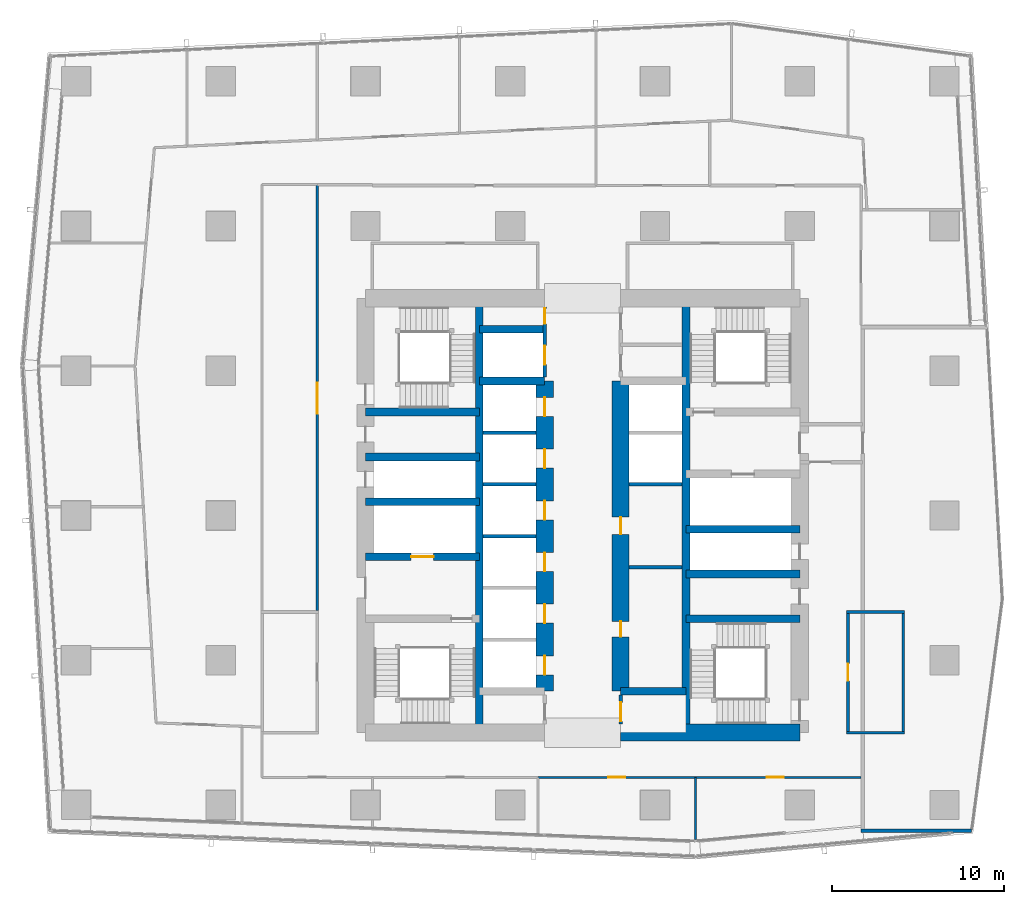
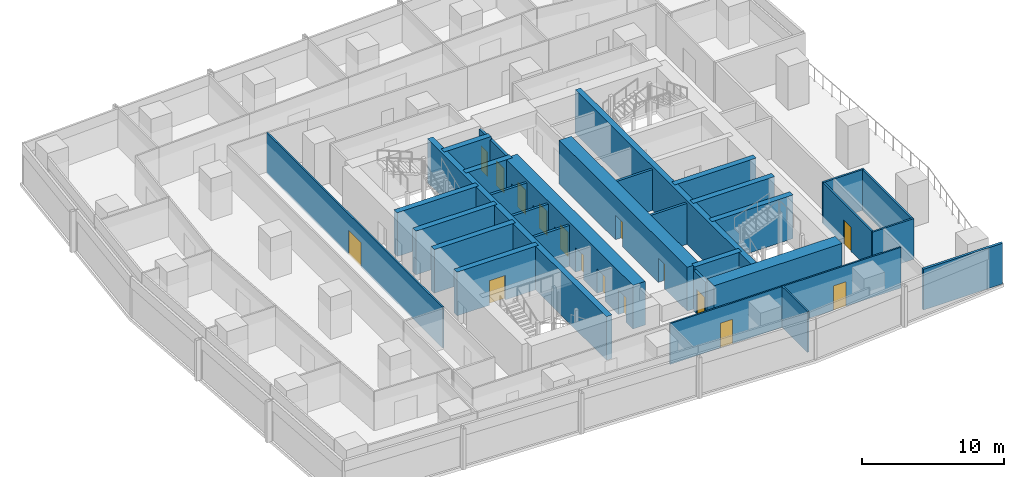
# One storey, part 25 of 34: 31 walls, 16 doors, 16 openings.
"""IFC4 building model written with IfcOpenShell, lengths in metres."""

from ifc_helpers import new_model, si_unit, direction, frame, frame_2d, origin, place, context, subcontext, project, spatial, rectangle, extrude, material, layer, layer_set, type_object, element, fill, save


model = new_model("IFC4")

# Units and contexts
model_context = context("Model", 3, precision=1e-05, world=origin(), true_north=direction((0.0, 1.0)))
body_context = subcontext(model_context, "Body", "Model", "MODEL_VIEW")
ifc_project = project(units=[si_unit("LENGTHUNIT", "METRE"), si_unit("AREAUNIT", "SQUARE_METRE"), si_unit("VOLUMEUNIT", "CUBIC_METRE"), si_unit("PLANEANGLEUNIT", "RADIAN"), si_unit("MASSUNIT", "GRAM", prefix="KILO")], contexts=[model_context])

# Site, building, storey
site_placement = place(None, origin())
site = spatial("IfcSite", under=ifc_project, at=site_placement, CompositionType="ELEMENT")
building_placement = place(site_placement, origin())
building = spatial("IfcBuilding", under=site, at=building_placement, Name="Rekha Terrace Tower", CompositionType="ELEMENT")
storey_placement = place(building_placement, frame((0.0, 0.0, 176.449951171875)))
storey = spatial("IfcBuildingStorey", under=building, at=storey_placement, Name="L44", CompositionType="ELEMENT", Elevation=176.449951171875)

# Walls
ifc_material_1 = material(Name="Concrete M60", Category="concrete")
ifc_layer_1 = layer(ifc_material_1, 0.449951171875)
ifc_layer_set_1 = layer_set([ifc_layer_1], Name="Concrete M60")
wall_type_1 = type_object("IfcWallType", Name="CI3 450 core internal shear wall", PredefinedType="SHEAR", material=ifc_layer_set_1)
for number, where, z_axis, x_axis, name in (
    (1, (31.800048828125, 21.0, 0.0), (0.0, 0.0, 1.0), (0.0, 1.0, 0.0), "Core wall X318 L44"),
    (2, (43.800048828125, 21.0, 0.0), (0.0, 0.0, 1.0), (0.0, 1.0, 0.0), "Core wall X438 L44"),
):
    element("IfcWall", number, at=place(storey_placement, frame(where, z_axis=z_axis, x_axis=x_axis)), inside=storey, type_object=wall_type_1, Name=name, PredefinedType="SHEAR", context=body_context, shape_type="SweptSolid", body=[
        extrude(rectangle(XDim=25.199951171875, YDim=0.449951171875, at=frame_2d((12.60009765625, 0.0))), origin(), (0.0, 0.0, 1.0), 3.75),
    ])
for number, where, z_axis, x_axis, name in (
    (3, (31.800048828125, 41.39990234375, 0.0), (0.0, 0.0, 1.0), (1.0, 0.0, 0.0), "Core wall Y414W L44"),
    (4, (31.800048828125, 44.39990234375, 0.0), (0.0, 0.0, 1.0), (1.0, 0.0, 0.0), "Core wall Y444W L44"),
    (5, (40.0, 23.39990234375, 0.0), (0.0, 0.0, 1.0), (1.0, 0.0, 0.0), "Core wall Y234E L44"),
):
    element("IfcWall", number, at=place(storey_placement, frame(where, z_axis=z_axis, x_axis=x_axis)), inside=storey, type_object=wall_type_1, Name=name, PredefinedType="SHEAR", context=body_context, shape_type="SweptSolid", body=[
        extrude(rectangle(XDim=3.800048828125, YDim=0.449951171875, at=frame_2d((1.89990234375, 0.0))), origin(), (0.0, 0.0, 1.0), 3.75),
    ])

# Wall, opening, door
wall_1_placement = place(storey_placement, frame((25.199951171875, 31.199951171875, 0.0), z_axis=(0.0, 0.0, 1.0), x_axis=(1.0, 0.0, 0.0)))
wall_1 = element("IfcWall", 6, at=wall_1_placement, inside=storey, type_object=wall_type_1, Name="Core wall Y312W L44", PredefinedType="SHEAR", context=body_context, shape_type="SweptSolid", body=[
    extrude(rectangle(XDim=6.60009765625, YDim=0.449951171875, at=frame_2d((3.300048828125, 0.0))), origin(), (0.0, 0.0, 1.0), 3.75),
])
opening_1_placement = place(wall_1_placement, frame((2.64990234375, 0.0, 0.0)))
opening_1 = element("IfcOpeningElement", 7, at=opening_1_placement, cuts=wall_1, Name="Opening LD2", PredefinedType="OPENING", context=body_context, shape_type="SweptSolid", body=[
    extrude(rectangle(XDim=1.300048828125, YDim=2.10009765625, at=frame_2d((0.64990234375, 1.050048828125))), frame((0.0, 0.23486328125, 0.0), z_axis=(0.0, -1.0, 0.0), x_axis=(1.0, 0.0, 0.0)), (0.0, 0.0, 1.0), 0.469970703125),
])
ifc_material_2 = material(Name="Stainless steel sliding landing door", Category="steel")
door_type_1 = type_object("IfcDoorType", Name="LD2 1300x2100 fire lift landing door", OperationType="SLIDING_TO_LEFT", PredefinedType="USERDEFINED", material=ifc_material_2)
door_1_placement = place(opening_1_placement, origin())
door_1 = element("IfcDoor", 8, at=door_1_placement, inside=storey, type_object=door_type_1, Name="Lift FL1 landing door L44", ObjectType="LIFT LANDING DOOR", OperationType="SLIDING_TO_LEFT", OverallHeight=2.10009765625, OverallWidth=1.300048828125, PredefinedType="USERDEFINED", context=body_context, shape_type="SweptSolid", body=[
    extrude(rectangle(XDim=1.300048828125, YDim=2.10009765625, at=frame_2d((0.64990234375, 1.050048828125))), frame((0.0, 0.02490234375, 0.0), z_axis=(0.0, -1.0, 0.0), x_axis=(1.0, 0.0, 0.0)), (0.0, 0.0, 1.0), 0.050048828125),
])
fill(opening_1, door_1)

# Walls
for number, where, z_axis, x_axis, name in (
    (9, (25.199951171875, 34.39990234375, 0.0), (0.0, 0.0, 1.0), (1.0, 0.0, 0.0), "Core wall Y344W L44"),
    (10, (25.199951171875, 37.0, 0.0), (0.0, 0.0, 1.0), (1.0, 0.0, 0.0), "Core wall Y370W L44"),
    (11, (25.199951171875, 39.60009765625, 0.0), (0.0, 0.0, 1.0), (1.0, 0.0, 0.0), "Core wall Y396W L44"),
):
    element("IfcWall", number, at=place(storey_placement, frame(where, z_axis=z_axis, x_axis=x_axis)), inside=storey, type_object=wall_type_1, Name=name, PredefinedType="SHEAR", context=body_context, shape_type="SweptSolid", body=[
        extrude(rectangle(XDim=6.60009765625, YDim=0.449951171875, at=frame_2d((3.300048828125, 0.0))), origin(), (0.0, 0.0, 1.0), 3.75),
    ])
for number, where, z_axis, x_axis, name in (
    (12, (43.800048828125, 27.60009765625, 0.0), (0.0, 0.0, 1.0), (1.0, 0.0, 0.0), "Core wall Y276E L44"),
    (13, (43.800048828125, 30.199951171875, 0.0), (0.0, 0.0, 1.0), (1.0, 0.0, 0.0), "Core wall Y302E L44"),
    (14, (43.800048828125, 32.800048828125, 0.0), (0.0, 0.0, 1.0), (1.0, 0.0, 0.0), "Core wall Y328E L44"),
):
    element("IfcWall", number, at=place(storey_placement, frame(where, z_axis=z_axis, x_axis=x_axis)), inside=storey, type_object=wall_type_1, Name=name, PredefinedType="SHEAR", context=body_context, shape_type="SweptSolid", body=[
        extrude(rectangle(XDim=6.599853515625, YDim=0.449951171875, at=frame_2d((3.2998046875, 0.0))), origin(), (0.0, 0.0, 1.0), 3.75),
    ])

# Wall, openings, doors
ifc_layer_2 = layer(ifc_material_1, 1.0)
ifc_layer_set_2 = layer_set([ifc_layer_2], Name="Concrete M60")
wall_type_2 = type_object("IfcWallType", Name="LW3 1000 core lobby wall at an outrigger level", PredefinedType="SHEAR", material=ifc_layer_set_2)
wall_2_placement = place(storey_placement, frame((35.60009765625, 23.39990234375, 0.0), z_axis=(0.0, 0.0, 1.0), x_axis=(0.0, 1.0, 0.0)))
wall_2 = element("IfcWall", 15, at=wall_2_placement, inside=storey, type_object=wall_type_2, Name="Core wall X356 L44", PredefinedType="SHEAR", context=body_context, shape_type="SweptSolid", body=[
    extrude(rectangle(XDim=18.0, YDim=1.0, at=frame_2d((9.0, 0.0))), origin(), (0.0, 0.0, 1.0), 3.75),
])
opening_2_placement = place(wall_2_placement, frame((0.949951171875, 0.0, 0.0)))
opening_2 = element("IfcOpeningElement", 16, at=opening_2_placement, cuts=wall_2, Name="Opening LD1", PredefinedType="OPENING", context=body_context, shape_type="SweptSolid", body=[
    extrude(rectangle(XDim=1.10009765625, YDim=2.10009765625, at=frame_2d((0.550048828125, 1.050048828125))), frame((0.0, 0.510009765625, 0.0), z_axis=(0.0, -1.0, 0.0), x_axis=(1.0, 0.0, 0.0)), (0.0, 0.0, 1.0), 1.02001953125),
])
opening_3_placement = place(wall_2_placement, frame((3.949951171875, 0.0, 0.0)))
opening_3 = element("IfcOpeningElement", 17, at=opening_3_placement, cuts=wall_2, Name="Opening LD1", PredefinedType="OPENING", context=body_context, shape_type="SweptSolid", body=[
    extrude(rectangle(XDim=1.10009765625, YDim=2.10009765625, at=frame_2d((0.550048828125, 1.050048828125))), frame((0.0, 0.510009765625, 0.0), z_axis=(0.0, -1.0, 0.0), x_axis=(1.0, 0.0, 0.0)), (0.0, 0.0, 1.0), 1.02001953125),
])
opening_4_placement = place(wall_2_placement, frame((6.949951171875, 0.0, 0.0)))
opening_4 = element("IfcOpeningElement", 18, at=opening_4_placement, cuts=wall_2, Name="Opening LD1", PredefinedType="OPENING", context=body_context, shape_type="SweptSolid", body=[
    extrude(rectangle(XDim=1.10009765625, YDim=2.10009765625, at=frame_2d((0.550048828125, 1.050048828125))), frame((0.0, 0.510009765625, 0.0), z_axis=(0.0, -1.0, 0.0), x_axis=(1.0, 0.0, 0.0)), (0.0, 0.0, 1.0), 1.02001953125),
])
opening_5_placement = place(wall_2_placement, frame((9.949951171875, 0.0, 0.0)))
opening_5 = element("IfcOpeningElement", 19, at=opening_5_placement, cuts=wall_2, Name="Opening LD1", PredefinedType="OPENING", context=body_context, shape_type="SweptSolid", body=[
    extrude(rectangle(XDim=1.10009765625, YDim=2.10009765625, at=frame_2d((0.550048828125, 1.050048828125))), frame((0.0, 0.510009765625, 0.0), z_axis=(0.0, -1.0, 0.0), x_axis=(1.0, 0.0, 0.0)), (0.0, 0.0, 1.0), 1.02001953125),
])
opening_6_placement = place(wall_2_placement, frame((12.949951171875, 0.0, 0.0)))
opening_6 = element("IfcOpeningElement", 20, at=opening_6_placement, cuts=wall_2, Name="Opening LD1", PredefinedType="OPENING", context=body_context, shape_type="SweptSolid", body=[
    extrude(rectangle(XDim=1.10009765625, YDim=2.10009765625, at=frame_2d((0.550048828125, 1.050048828125))), frame((0.0, 0.510009765625, 0.0), z_axis=(0.0, -1.0, 0.0), x_axis=(1.0, 0.0, 0.0)), (0.0, 0.0, 1.0), 1.02001953125),
])
opening_7_placement = place(wall_2_placement, frame((15.949951171875, 0.0, 0.0)))
opening_7 = element("IfcOpeningElement", 21, at=opening_7_placement, cuts=wall_2, Name="Opening LD1", PredefinedType="OPENING", context=body_context, shape_type="SweptSolid", body=[
    extrude(rectangle(XDim=1.10009765625, YDim=2.10009765625, at=frame_2d((0.550048828125, 1.050048828125))), frame((0.0, 0.510009765625, 0.0), z_axis=(0.0, -1.0, 0.0), x_axis=(1.0, 0.0, 0.0)), (0.0, 0.0, 1.0), 1.02001953125),
])
door_type_2 = type_object("IfcDoorType", Name="LD1 1100x2100 lift landing door", OperationType="SLIDING_TO_LEFT", PredefinedType="USERDEFINED", material=ifc_material_2)
door_2_placement = place(opening_2_placement, origin())
door_2 = element("IfcDoor", 22, at=door_2_placement, inside=storey, type_object=door_type_2, Name="Lift C1 landing door L44", ObjectType="LIFT LANDING DOOR", OperationType="SLIDING_TO_LEFT", OverallHeight=2.10009765625, OverallWidth=1.10009765625, PredefinedType="USERDEFINED", context=body_context, shape_type="SweptSolid", body=[
    extrude(rectangle(XDim=1.10009765625, YDim=2.10009765625, at=frame_2d((0.550048828125, 1.050048828125))), frame((0.0, 0.02490234375, 0.0), z_axis=(0.0, -1.0, 0.0), x_axis=(1.0, 0.0, 0.0)), (0.0, 0.0, 1.0), 0.050048828125),
])
fill(opening_2, door_2)
door_3_placement = place(opening_3_placement, origin())
door_3 = element("IfcDoor", 23, at=door_3_placement, inside=storey, type_object=door_type_2, Name="Lift C2 landing door L44", ObjectType="LIFT LANDING DOOR", OperationType="SLIDING_TO_LEFT", OverallHeight=2.10009765625, OverallWidth=1.10009765625, PredefinedType="USERDEFINED", context=body_context, shape_type="SweptSolid", body=[
    extrude(rectangle(XDim=1.10009765625, YDim=2.10009765625, at=frame_2d((0.550048828125, 1.050048828125))), frame((0.0, 0.02490234375, 0.0), z_axis=(0.0, -1.0, 0.0), x_axis=(1.0, 0.0, 0.0)), (0.0, 0.0, 1.0), 0.050048828125),
])
fill(opening_3, door_3)
door_4_placement = place(opening_4_placement, origin())
door_4 = element("IfcDoor", 24, at=door_4_placement, inside=storey, type_object=door_type_2, Name="Lift C3 landing door L44", ObjectType="LIFT LANDING DOOR", OperationType="SLIDING_TO_LEFT", OverallHeight=2.10009765625, OverallWidth=1.10009765625, PredefinedType="USERDEFINED", context=body_context, shape_type="SweptSolid", body=[
    extrude(rectangle(XDim=1.10009765625, YDim=2.10009765625, at=frame_2d((0.550048828125, 1.050048828125))), frame((0.0, 0.02490234375, 0.0), z_axis=(0.0, -1.0, 0.0), x_axis=(1.0, 0.0, 0.0)), (0.0, 0.0, 1.0), 0.050048828125),
])
fill(opening_4, door_4)
door_5_placement = place(opening_5_placement, origin())
door_5 = element("IfcDoor", 25, at=door_5_placement, inside=storey, type_object=door_type_2, Name="Lift C4 landing door L44", ObjectType="LIFT LANDING DOOR", OperationType="SLIDING_TO_LEFT", OverallHeight=2.10009765625, OverallWidth=1.10009765625, PredefinedType="USERDEFINED", context=body_context, shape_type="SweptSolid", body=[
    extrude(rectangle(XDim=1.10009765625, YDim=2.10009765625, at=frame_2d((0.550048828125, 1.050048828125))), frame((0.0, 0.02490234375, 0.0), z_axis=(0.0, -1.0, 0.0), x_axis=(1.0, 0.0, 0.0)), (0.0, 0.0, 1.0), 0.050048828125),
])
fill(opening_5, door_5)
door_6_placement = place(opening_6_placement, origin())
door_6 = element("IfcDoor", 26, at=door_6_placement, inside=storey, type_object=door_type_2, Name="Lift C5 landing door L44", ObjectType="LIFT LANDING DOOR", OperationType="SLIDING_TO_LEFT", OverallHeight=2.10009765625, OverallWidth=1.10009765625, PredefinedType="USERDEFINED", context=body_context, shape_type="SweptSolid", body=[
    extrude(rectangle(XDim=1.10009765625, YDim=2.10009765625, at=frame_2d((0.550048828125, 1.050048828125))), frame((0.0, 0.02490234375, 0.0), z_axis=(0.0, -1.0, 0.0), x_axis=(1.0, 0.0, 0.0)), (0.0, 0.0, 1.0), 0.050048828125),
])
fill(opening_6, door_6)
door_7_placement = place(opening_7_placement, origin())
door_7 = element("IfcDoor", 27, at=door_7_placement, inside=storey, type_object=door_type_2, Name="Lift C6 landing door L44", ObjectType="LIFT LANDING DOOR", OperationType="SLIDING_TO_LEFT", OverallHeight=2.10009765625, OverallWidth=1.10009765625, PredefinedType="USERDEFINED", context=body_context, shape_type="SweptSolid", body=[
    extrude(rectangle(XDim=1.10009765625, YDim=2.10009765625, at=frame_2d((0.550048828125, 1.050048828125))), frame((0.0, 0.02490234375, 0.0), z_axis=(0.0, -1.0, 0.0), x_axis=(1.0, 0.0, 0.0)), (0.0, 0.0, 1.0), 0.050048828125),
])
fill(opening_7, door_7)

wall_3_placement = place(storey_placement, frame((40.0, 23.39990234375, 0.0), z_axis=(0.0, 0.0, 1.0), x_axis=(0.0, 1.0, 0.0)))
wall_3 = element("IfcWall", 28, at=wall_3_placement, inside=storey, type_object=wall_type_2, Name="Core wall X400 L44", PredefinedType="SHEAR", context=body_context, shape_type="SweptSolid", body=[
    extrude(rectangle(XDim=18.0, YDim=1.0, at=frame_2d((9.0, 0.0))), origin(), (0.0, 0.0, 1.0), 3.75),
])
opening_8_placement = place(wall_3_placement, frame((3.14990234375, 0.0, 0.0)))
opening_8 = element("IfcOpeningElement", 29, at=opening_8_placement, cuts=wall_3, Name="Opening D5", PredefinedType="OPENING", context=body_context, shape_type="SweptSolid", body=[
    extrude(rectangle(XDim=0.89990234375, YDim=2.10009765625, at=frame_2d((0.449951171875, 1.050048828125))), frame((0.0, 0.510009765625, 0.0), z_axis=(0.0, -1.0, 0.0), x_axis=(1.0, 0.0, 0.0)), (0.0, 0.0, 1.0), 1.02001953125),
])
opening_9_placement = place(wall_3_placement, frame((9.10009765625, 0.0, 0.0)))
opening_9 = element("IfcOpeningElement", 30, at=opening_9_placement, cuts=wall_3, Name="Opening D9", PredefinedType="OPENING", context=body_context, shape_type="SweptSolid", body=[
    extrude(rectangle(XDim=1.0, YDim=2.10009765625, at=frame_2d((0.5, 1.050048828125))), frame((0.0, 0.510009765625, 0.0), z_axis=(0.0, -1.0, 0.0), x_axis=(1.0, 0.0, 0.0)), (0.0, 0.0, 1.0), 1.02001953125),
])
ifc_material_3 = material(Name="Steel fire door", Category="steel")
door_type_3 = type_object("IfcDoorType", Name="D5 900x2100 riser access door", OperationType="SINGLE_SWING_LEFT", PredefinedType="DOOR", material=ifc_material_3)
door_8_placement = place(opening_8_placement, origin())
door_8 = element("IfcDoor", 31, at=door_8_placement, inside=storey, type_object=door_type_3, Name="Door back-of-house store L44", OperationType="SINGLE_SWING_LEFT", OverallHeight=2.10009765625, OverallWidth=0.89990234375, PredefinedType="DOOR", context=body_context, shape_type="SweptSolid", body=[
    extrude(rectangle(XDim=0.89990234375, YDim=2.10009765625, at=frame_2d((0.449951171875, 1.050048828125))), frame((0.0, 0.02490234375, 0.0), z_axis=(0.0, -1.0, 0.0), x_axis=(1.0, 0.0, 0.0)), (0.0, 0.0, 1.0), 0.050048828125),
])
fill(opening_8, door_8)
ifc_material_4 = material(Name="Timber fire door", Category="wood")
door_type_4 = type_object("IfcDoorType", Name="D9 1000x2100 office door", OperationType="SINGLE_SWING_LEFT", PredefinedType="DOOR", material=ifc_material_4)
door_9_placement = place(opening_9_placement, origin())
door_9 = element("IfcDoor", 32, at=door_9_placement, inside=storey, type_object=door_type_4, Name="Door pantry and vending room L44", OperationType="SINGLE_SWING_LEFT", OverallHeight=2.10009765625, OverallWidth=1.0, PredefinedType="DOOR", context=body_context, shape_type="SweptSolid", body=[
    extrude(rectangle(XDim=1.0, YDim=2.10009765625, at=frame_2d((0.5, 1.050048828125))), frame((0.0, 0.02490234375, 0.0), z_axis=(0.0, -1.0, 0.0), x_axis=(1.0, 0.0, 0.0)), (0.0, 0.0, 1.0), 0.050048828125),
])
fill(opening_9, door_9)

# Walls
ifc_layer_3 = layer(ifc_material_1, 1.0)
ifc_layer_set_3 = layer_set([ifc_layer_3], Name="Concrete M60")
wall_type_3 = type_object("IfcWallType", Name="SW3 1000 core outer shear wall", PredefinedType="SHEAR", material=ifc_layer_set_3)
wall_4_placement = place(storey_placement, frame((40.0, 21.0, 0.0), z_axis=(0.0, 0.0, 1.0), x_axis=(1.0, 0.0, 0.0)))
element("IfcWall", 33, at=wall_4_placement, inside=storey, type_object=wall_type_3, Name="Core wall S2 L44", PredefinedType="SHEAR", context=body_context, shape_type="SweptSolid", body=[
    extrude(rectangle(XDim=10.39990234375, YDim=1.0, at=frame_2d((5.199951171875, 0.0))), origin(), (0.0, 0.0, 1.0), 3.75),
])
ifc_material_5 = material(Name="Concrete block masonry, 1 hour", Category="masonry")
ifc_layer_4 = layer(ifc_material_5, 0.14990234375)
ifc_layer_set_4 = layer_set([ifc_layer_4], Name="Concrete block masonry, 1 hour")
wall_type_4 = type_object("IfcWallType", Name="WP2 150 tenancy partition", PredefinedType="PARTITIONING", material=ifc_layer_set_4)
for number, where, z_axis, x_axis, name in (
    (34, (53.125, 21.0, 0.0), (0.0, 0.0, 1.0), (1.0, 0.0, 0.0), "Men's WC wall L44"),
    (35, (53.125, 28.0, 0.0), (0.0, 0.0, 1.0), (1.0, 0.0, 0.0), "Men's WC wall L44"),
):
    element("IfcWall", number, at=place(storey_placement, frame(where, z_axis=z_axis, x_axis=x_axis)), inside=storey, type_object=wall_type_4, Name=name, PredefinedType="PARTITIONING", context=body_context, shape_type="SweptSolid", body=[
        extrude(rectangle(XDim=3.35009765625, YDim=0.14990234375, at=frame_2d((1.675048828125, 0.0))), origin(), (0.0, 0.0, 1.0), 3.5),
    ])

# Wall, opening, door
wall_5_placement = place(storey_placement, frame((53.199951171875, 21.074951171875, 0.0), z_axis=(0.0, 0.0, 1.0), x_axis=(0.0, 1.0, 0.0)))
wall_5 = element("IfcWall", 36, at=wall_5_placement, inside=storey, type_object=wall_type_4, Name="Men's WC wall L44", PredefinedType="PARTITIONING", context=body_context, shape_type="SweptSolid", body=[
    extrude(rectangle(XDim=6.85009765625, YDim=0.14990234375, at=frame_2d((3.425048828125, 0.0))), origin(), (0.0, 0.0, 1.0), 3.5),
])
opening_10_placement = place(wall_5_placement, frame((2.925048828125, 0.0, 0.0)))
opening_10 = element("IfcOpeningElement", 37, at=opening_10_placement, cuts=wall_5, Name="Opening D3", PredefinedType="OPENING", context=body_context, shape_type="SweptSolid", body=[
    extrude(rectangle(XDim=1.0, YDim=2.10009765625, at=frame_2d((0.5, 1.050048828125))), frame((0.0, 0.0849609375, 0.0), z_axis=(0.0, -1.0, 0.0), x_axis=(1.0, 0.0, 0.0)), (0.0, 0.0, 1.0), 0.169921875),
])
ifc_material_6 = material(Name="Laminated timber fire door", Category="wood")
door_type_5 = type_object("IfcDoorType", Name="D3 1000x2100 WC door", OperationType="SINGLE_SWING_LEFT", PredefinedType="DOOR", material=ifc_material_6)
door_10_placement = place(opening_10_placement, origin())
door_10 = element("IfcDoor", 38, at=door_10_placement, inside=storey, type_object=door_type_5, Name="Door men's wc L44", OperationType="SINGLE_SWING_LEFT", OverallHeight=2.10009765625, OverallWidth=1.0, PredefinedType="DOOR", context=body_context, shape_type="SweptSolid", body=[
    extrude(rectangle(XDim=1.0, YDim=2.10009765625, at=frame_2d((0.5, 1.050048828125))), frame((0.0, 0.02490234375, 0.0), z_axis=(0.0, -1.0, 0.0), x_axis=(1.0, 0.0, 0.0)), (0.0, 0.0, 1.0), 0.050048828125),
])
fill(opening_10, door_10)

# Wall
wall_6_placement = place(storey_placement, frame((56.39990234375, 21.074951171875, 0.0), z_axis=(0.0, 0.0, 1.0), x_axis=(0.0, 1.0, 0.0)))
element("IfcWall", 39, at=wall_6_placement, inside=storey, type_object=wall_type_4, Name="Men's WC wall L44", PredefinedType="PARTITIONING", context=body_context, shape_type="SweptSolid", body=[
    extrude(rectangle(XDim=6.85009765625, YDim=0.14990234375, at=frame_2d((3.425048828125, 0.0))), origin(), (0.0, 0.0, 1.0), 3.5),
])

# Wall, opening, door
ifc_material_7 = material(Name="Two layers of fire-rated gypsum board each side on steel studs, acoustic quilt, 1 hour", Category="steel")
ifc_layer_5 = layer(ifc_material_7, 0.125)
ifc_layer_set_5 = layer_set([ifc_layer_5], Name="Two layers of fire-rated gypsum board each side on steel studs, acoustic quilt, 1 hour")
wall_type_5 = type_object("IfcWallType", Name="WP3 125 office partition", PredefinedType="PARTITIONING", material=ifc_layer_set_5)
wall_7_placement = place(storey_placement, frame((35.199951171875, 18.39990234375, 0.0), z_axis=(0.0, 0.0, 1.0), x_axis=(1.0, 0.0, 0.0)))
wall_7 = element("IfcWall", 40, at=wall_7_placement, inside=storey, type_object=wall_type_5, Name="Partition L44-07", PredefinedType="PARTITIONING", context=body_context, shape_type="SweptSolid", body=[
    extrude(rectangle(XDim=9.14404296875, YDim=0.125, at=frame_2d((4.572021484375, 0.0))), origin(), (0.0, 0.0, 1.0), 3.5),
])
opening_11_placement = place(wall_7_placement, frame((4.072021484375, 0.0, 0.0)))
opening_11 = element("IfcOpeningElement", 41, at=opening_11_placement, cuts=wall_7, Name="Opening D9", PredefinedType="OPENING", context=body_context, shape_type="SweptSolid", body=[
    extrude(rectangle(XDim=1.0, YDim=2.10009765625, at=frame_2d((0.5, 1.050048828125))), frame((0.0, 0.072509765625, 0.0), z_axis=(0.0, -1.0, 0.0), x_axis=(1.0, 0.0, 0.0)), (0.0, 0.0, 1.0), 0.14501953125),
])
door_11_placement = place(opening_11_placement, origin())
door_11 = element("IfcDoor", 42, at=door_11_placement, inside=storey, type_object=door_type_4, Name="Door staff dining L44", OperationType="SINGLE_SWING_LEFT", OverallHeight=2.10009765625, OverallWidth=1.0, PredefinedType="DOOR", context=body_context, shape_type="SweptSolid", body=[
    extrude(rectangle(XDim=1.0, YDim=2.10009765625, at=frame_2d((0.5, 1.050048828125))), frame((0.0, 0.02490234375, 0.0), z_axis=(0.0, -1.0, 0.0), x_axis=(1.0, 0.0, 0.0)), (0.0, 0.0, 1.0), 0.050048828125),
])
fill(opening_11, door_11)

# Wall
wall_8_placement = place(storey_placement, frame((44.343994140625, 18.39990234375, 0.0), z_axis=(0.0, 0.0, 1.0), x_axis=(0.0, -1.0, 0.0)))
element("IfcWall", 43, at=wall_8_placement, inside=storey, type_object=wall_type_5, Name="Partition L44-07", PredefinedType="PARTITIONING", context=body_context, shape_type="SweptSolid", body=[
    extrude(rectangle(XDim=3.60498046875, YDim=0.125, at=frame_2d((1.802490234375, 0.0))), origin(), (0.0, 0.0, 1.0), 3.5),
])

# Wall, opening, door
wall_9_placement = place(storey_placement, frame((44.344970703125, 18.39990234375, 0.0), z_axis=(0.0, 0.0, 1.0), x_axis=(1.0, 0.0, 0.0)))
wall_9 = element("IfcWall", 44, at=wall_9_placement, inside=storey, type_object=wall_type_5, Name="Partition L44-08", PredefinedType="PARTITIONING", context=body_context, shape_type="SweptSolid", body=[
    extrude(rectangle(XDim=9.593994140625, YDim=0.125, at=frame_2d((4.796875, 0.0))), origin(), (0.0, 0.0, 1.0), 3.5),
])
opening_12_placement = place(wall_9_placement, frame((4.126953125, 0.0, 0.0)))
opening_12 = element("IfcOpeningElement", 45, at=opening_12_placement, cuts=wall_9, Name="Opening D9", PredefinedType="OPENING", context=body_context, shape_type="SweptSolid", body=[
    extrude(rectangle(XDim=1.0, YDim=2.10009765625, at=frame_2d((0.5, 1.050048828125))), frame((0.0, 0.072509765625, 0.0), z_axis=(0.0, -1.0, 0.0), x_axis=(1.0, 0.0, 0.0)), (0.0, 0.0, 1.0), 0.14501953125),
])
door_12_placement = place(opening_12_placement, origin())
door_12 = element("IfcDoor", 46, at=door_12_placement, inside=storey, type_object=door_type_4, Name="Door club lounge L44", OperationType="SINGLE_SWING_LEFT", OverallHeight=2.10009765625, OverallWidth=1.0, PredefinedType="DOOR", context=body_context, shape_type="SweptSolid", body=[
    extrude(rectangle(XDim=1.0, YDim=2.10009765625, at=frame_2d((0.5, 1.050048828125))), frame((0.0, 0.02490234375, 0.0), z_axis=(0.0, -1.0, 0.0), x_axis=(1.0, 0.0, 0.0)), (0.0, 0.0, 1.0), 0.050048828125),
])
fill(opening_12, door_12)

wall_10_placement = place(storey_placement, frame((22.39990234375, 52.800048828125, 0.0), z_axis=(0.0, 0.0, 1.0), x_axis=(0.0, -1.0, 0.0)))
wall_10 = element("IfcWall", 47, at=wall_10_placement, inside=storey, type_object=wall_type_5, Name="Partition L44-19", PredefinedType="PARTITIONING", context=body_context, shape_type="SweptSolid", body=[
    extrude(rectangle(XDim=24.72509765625, YDim=0.125, at=frame_2d((12.362548828125, 0.0))), origin(), (0.0, 0.0, 1.0), 3.5),
])
opening_13_placement = place(wall_10_placement, frame((11.5, 0.0, 0.0)))
opening_13 = element("IfcOpeningElement", 48, at=opening_13_placement, cuts=wall_10, Name="Opening D8", PredefinedType="OPENING", context=body_context, shape_type="SweptSolid", body=[
    extrude(rectangle(XDim=1.800048828125, YDim=2.10009765625, at=frame_2d((0.89990234375, 1.050048828125))), frame((0.0, 0.072509765625, 0.0), z_axis=(0.0, -1.0, 0.0), x_axis=(1.0, 0.0, 0.0)), (0.0, 0.0, 1.0), 0.14501953125),
])
door_type_6 = type_object("IfcDoorType", Name="D8 1800x2100 double leaf door", OperationType="DOUBLE_DOOR_SINGLE_SWING", PredefinedType="DOOR", material=ifc_material_4)
door_13_placement = place(opening_13_placement, origin())
door_13 = element("IfcDoor", 49, at=door_13_placement, inside=storey, type_object=door_type_6, Name="Door reception L44", OperationType="DOUBLE_DOOR_SINGLE_SWING", OverallHeight=2.10009765625, OverallWidth=1.800048828125, PredefinedType="DOOR", context=body_context, shape_type="SweptSolid", body=[
    extrude(rectangle(XDim=1.800048828125, YDim=2.10009765625, at=frame_2d((0.89990234375, 1.050048828125))), frame((0.0, 0.02490234375, 0.0), z_axis=(0.0, -1.0, 0.0), x_axis=(1.0, 0.0, 0.0)), (0.0, 0.0, 1.0), 0.050048828125),
])
fill(opening_13, door_13)

# Walls
ifc_material_8 = material(Name="Solid concrete block masonry, 2 hour", Category="masonry")
ifc_layer_6 = layer(ifc_material_8, 0.199951171875)
ifc_layer_set_6 = layer_set([ifc_layer_6], Name="Solid concrete block masonry, 2 hour")
wall_type_6 = type_object("IfcWallType", Name="WS1 200 stair and shaft enclosure", PredefinedType="PARTITIONING", material=ifc_layer_set_6)
for number, where, z_axis, x_axis, name in (
    (50, (32.02490234375, 32.39990234375, 0.0), (0.0, 0.0, 1.0), (1.0, 0.0, 0.0), "Lift shaft divider L44"),
    (51, (32.02490234375, 35.39990234375, 0.0), (0.0, 0.0, 1.0), (1.0, 0.0, 0.0), "Lift shaft divider L44"),
    (52, (32.02490234375, 38.39990234375, 0.0), (0.0, 0.0, 1.0), (1.0, 0.0, 0.0), "Lift shaft divider L44"),
):
    element("IfcWall", number, at=place(storey_placement, frame(where, z_axis=z_axis, x_axis=x_axis)), inside=storey, type_object=wall_type_6, Name=name, PredefinedType="PARTITIONING", context=body_context, shape_type="SweptSolid", body=[
        extrude(rectangle(XDim=3.0751953125, YDim=0.199951171875, at=frame_2d((1.53759765625, 0.0))), origin(), (0.0, 0.0, 1.0), 3.5),
    ])
wall_11_placement = place(storey_placement, frame((40.5, 35.39990234375, 0.0), z_axis=(0.0, 0.0, 1.0), x_axis=(1.0, 0.0, 0.0)))
element("IfcWall", 53, at=wall_11_placement, inside=storey, type_object=wall_type_6, Name="Lift shaft divider L44", PredefinedType="PARTITIONING", context=body_context, shape_type="SweptSolid", body=[
    extrude(rectangle(XDim=3.074951171875, YDim=0.199951171875, at=frame_2d((1.53759765625, 0.0))), origin(), (0.0, 0.0, 1.0), 3.5),
])

# Wall, opening, door
wall_12_placement = place(storey_placement, frame((40.0, 21.5, 0.0), z_axis=(0.0, 0.0, 1.0), x_axis=(0.0, 1.0, 0.0)))
wall_12 = element("IfcWall", 54, at=wall_12_placement, inside=storey, type_object=wall_type_6, Name="Core partition wca L44", PredefinedType="PARTITIONING", context=body_context, shape_type="SweptSolid", body=[
    extrude(rectangle(XDim=1.675048828125, YDim=0.199951171875, at=frame_2d((0.83740234375, 0.0))), origin(), (0.0, 0.0, 1.0), 3.5),
])
opening_14_placement = place(wall_12_placement, frame((0.14990234375, 0.0, 0.0)))
opening_14 = element("IfcOpeningElement", 55, at=opening_14_placement, cuts=wall_12, Name="Opening D4", PredefinedType="OPENING", context=body_context, shape_type="SweptSolid", body=[
    extrude(rectangle(XDim=1.10009765625, YDim=2.10009765625, at=frame_2d((0.550048828125, 1.050048828125))), frame((0.0, 0.10986328125, 0.0), z_axis=(0.0, -1.0, 0.0), x_axis=(1.0, 0.0, 0.0)), (0.0, 0.0, 1.0), 0.219970703125),
])
door_type_7 = type_object("IfcDoorType", Name="D4 1100x2100 accessible WC door", OperationType="SLIDING_TO_LEFT", PredefinedType="DOOR", material=ifc_material_6)
door_14_placement = place(opening_14_placement, origin())
door_14 = element("IfcDoor", 56, at=door_14_placement, inside=storey, type_object=door_type_7, Name="Door wca L44", OperationType="SLIDING_TO_LEFT", OverallHeight=2.10009765625, OverallWidth=1.10009765625, PredefinedType="DOOR", context=body_context, shape_type="SweptSolid", body=[
    extrude(rectangle(XDim=1.10009765625, YDim=2.10009765625, at=frame_2d((0.550048828125, 1.050048828125))), frame((0.0, 0.02490234375, 0.0), z_axis=(0.0, -1.0, 0.0), x_axis=(1.0, 0.0, 0.0)), (0.0, 0.0, 1.0), 0.050048828125),
])
fill(opening_14, door_14)

# Wall, openings, doors
wall_13_placement = place(storey_placement, frame((35.60009765625, 41.625, 0.0), z_axis=(0.0, 0.0, 1.0), x_axis=(0.0, 1.0, 0.0)))
wall_13 = element("IfcWall", 57, at=wall_13_placement, inside=storey, type_object=wall_type_6, Name="Core partition jansv L44", PredefinedType="PARTITIONING", context=body_context, shape_type="SweptSolid", body=[
    extrude(rectangle(XDim=4.074951171875, YDim=0.199951171875, at=frame_2d((2.03759765625, 0.0))), origin(), (0.0, 0.0, 1.0), 3.5),
])
opening_15_placement = place(wall_13_placement, frame((3.087890625, 0.0, 0.0)))
opening_15 = element("IfcOpeningElement", 58, at=opening_15_placement, cuts=wall_13, Name="Opening D5", PredefinedType="OPENING", context=body_context, shape_type="SweptSolid", body=[
    extrude(rectangle(XDim=0.89990234375, YDim=2.10009765625, at=frame_2d((0.449951171875, 1.050048828125))), frame((0.0, 0.10986328125, 0.0), z_axis=(0.0, -1.0, 0.0), x_axis=(1.0, 0.0, 0.0)), (0.0, 0.0, 1.0), 0.219970703125),
])
opening_16_placement = place(wall_13_placement, frame((0.72509765625, 0.0, 0.0)))
opening_16 = element("IfcOpeningElement", 59, at=opening_16_placement, cuts=wall_13, Name="Opening LD1", PredefinedType="OPENING", context=body_context, shape_type="SweptSolid", body=[
    extrude(rectangle(XDim=1.10009765625, YDim=2.10009765625, at=frame_2d((0.550048828125, 1.050048828125))), frame((0.0, 0.10986328125, 0.0), z_axis=(0.0, -1.0, 0.0), x_axis=(1.0, 0.0, 0.0)), (0.0, 0.0, 1.0), 0.219970703125),
])
door_15_placement = place(opening_15_placement, origin())
door_15 = element("IfcDoor", 60, at=door_15_placement, inside=storey, type_object=door_type_3, Name="Door janitor room L44", OperationType="SINGLE_SWING_LEFT", OverallHeight=2.10009765625, OverallWidth=0.89990234375, PredefinedType="DOOR", context=body_context, shape_type="SweptSolid", body=[
    extrude(rectangle(XDim=0.89990234375, YDim=2.10009765625, at=frame_2d((0.449951171875, 1.050048828125))), frame((0.0, 0.02490234375, 0.0), z_axis=(0.0, -1.0, 0.0), x_axis=(1.0, 0.0, 0.0)), (0.0, 0.0, 1.0), 0.050048828125),
])
fill(opening_15, door_15)
door_16_placement = place(opening_16_placement, origin())
door_16 = element("IfcDoor", 61, at=door_16_placement, inside=storey, type_object=door_type_2, Name="Lift SV1 landing door L44", ObjectType="LIFT LANDING DOOR", OperationType="SLIDING_TO_LEFT", OverallHeight=2.10009765625, OverallWidth=1.10009765625, PredefinedType="USERDEFINED", context=body_context, shape_type="SweptSolid", body=[
    extrude(rectangle(XDim=1.10009765625, YDim=2.10009765625, at=frame_2d((0.550048828125, 1.050048828125))), frame((0.0, 0.02490234375, 0.0), z_axis=(0.0, -1.0, 0.0), x_axis=(1.0, 0.0, 0.0)), (0.0, 0.0, 1.0), 0.050048828125),
])
fill(opening_16, door_16)

# Walls
wall_14_placement = place(storey_placement, frame((40.5, 30.60009765625, 0.0), z_axis=(0.0, 0.0, 1.0), x_axis=(1.0, 0.0, 0.0)))
element("IfcWall", 62, at=wall_14_placement, inside=storey, type_object=wall_type_6, Name="Core partition freed shafts L44", PredefinedType="PARTITIONING", context=body_context, shape_type="SweptSolid", body=[
    extrude(rectangle(XDim=3.074951171875, YDim=0.199951171875, at=frame_2d((1.53759765625, 0.0))), origin(), (0.0, 0.0, 1.0), 3.5),
])
wall_15_placement = place(storey_placement, frame((53.949951171875, 15.297119140625, 0.0), z_axis=(0.0, 0.0, 1.0), x_axis=(1.0, 0.0, 0.0)))
element("IfcWall", 63, at=wall_15_placement, inside=storey, type_object=wall_type_6, Name="Refuge area south wall L44", PredefinedType="PARTITIONING", context=body_context, shape_type="SweptSolid", body=[
    extrude(rectangle(XDim=6.4189453125, YDim=0.199951171875, at=frame_2d((3.20947265625, 0.0))), origin(), (0.0, 0.0, 1.0), 3.5),
])

save(model, "model.ifc")
